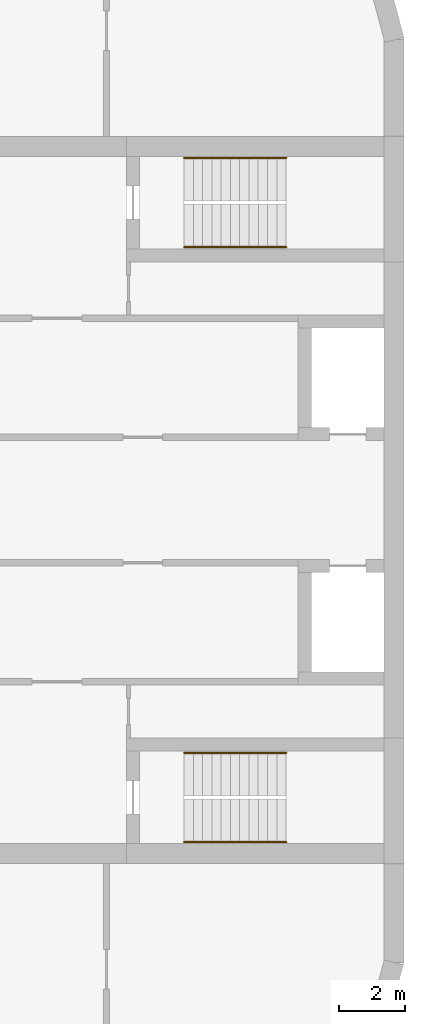
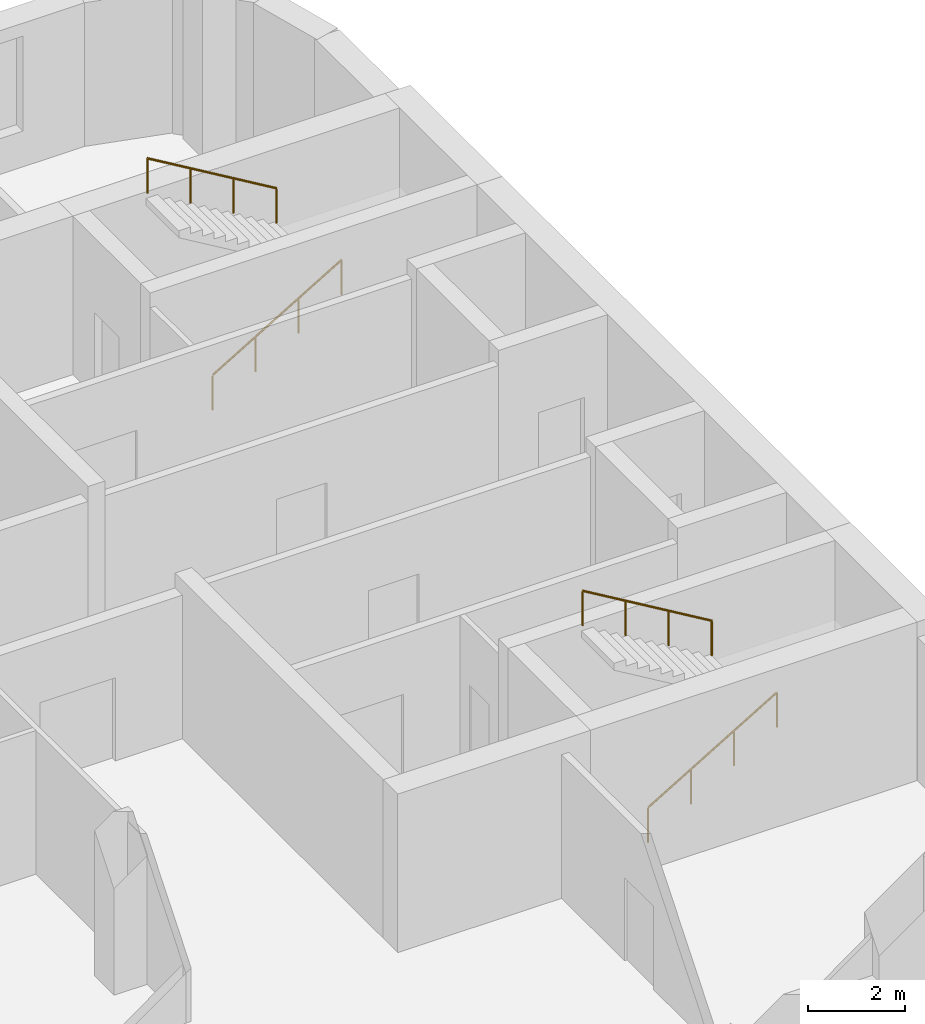
# One storey, part 12 of 12: 4 railings.
"""IFC4 building model written with IfcOpenShell, lengths in metres."""

from ifc_helpers import new_model, si_unit, direction, frame, origin, origin_2d, place, context, subcontext, project, spatial, circle, extrude, material, type_object, element, save


model = new_model("IFC4")

# Units and contexts
model_context = context("Model", 3, precision=1e-05, world=origin(), true_north=direction((0.0, 1.0)))
body_context = subcontext(model_context, "Body", "Model", "MODEL_VIEW")
ifc_project = project(units=[si_unit("LENGTHUNIT", "METRE"), si_unit("AREAUNIT", "SQUARE_METRE"), si_unit("VOLUMEUNIT", "CUBIC_METRE"), si_unit("PLANEANGLEUNIT", "RADIAN"), si_unit("MASSUNIT", "GRAM", prefix="KILO")], contexts=[model_context])

# Site, building, storey
site_placement = place(None, origin())
site = spatial("IfcSite", under=ifc_project, at=site_placement, CompositionType="ELEMENT")
building_placement = place(site_placement, origin())
building = spatial("IfcBuilding", under=site, at=building_placement, Name="Skarvind Civic Tower", CompositionType="ELEMENT")
storey_placement = place(building_placement, frame((0.0, 0.0, 35.5)))
storey = spatial("IfcBuildingStorey", under=building, at=storey_placement, Name="L07", CompositionType="ELEMENT", Elevation=35.5)

# Railings
ifc_material = material(Name="Painted steel handrail", Category="steel")
railing_type = type_object("IfcRailingType", Name="Stair handrail 900", PredefinedType="HANDRAIL", material=ifc_material)
railing_1_placement = place(storey_placement, frame((160.35009765625, 135.64990234375, 0.166748046875)))
element("IfcRailing", 1, at=railing_1_placement, inside=storey, type_object=railing_type, Name="Stair handrail", PredefinedType="HANDRAIL", context=body_context, shape_type="SweptSolid", body=[
    extrude(circle(Radius=0.02392578125, at=origin_2d()), frame((0.0, 0.0, 0.8759765625), z_axis=(0.859290745958, 0.0, 0.51148745235), x_axis=(0.0, 1.0, 0.0)), (0.0, 0.0, 1.0), 3.584228515625),
    extrude(circle(Radius=0.02099609375, at=origin_2d()), origin(), (0.0, 0.0, 1.0), 0.851806640625),
    extrude(circle(Radius=0.02099609375, at=origin_2d()), frame((1.026611328125, 0.0, 0.611083984375)), (0.0, 0.0, 1.0), 0.851806640625),
    extrude(circle(Radius=0.02099609375, at=origin_2d()), frame((2.05322265625, 0.0, 1.22216796875)), (0.0, 0.0, 1.0), 0.851806640625),
    extrude(circle(Radius=0.02099609375, at=origin_2d()), frame((3.079833984375, 0.0, 1.833251953125)), (0.0, 0.0, 1.0), 0.851806640625),
])
railing_2_placement = place(storey_placement, frame((163.429931640625, 138.35009765625, 2.166748046875)))
element("IfcRailing", 2, at=railing_2_placement, inside=storey, type_object=railing_type, Name="Stair handrail", PredefinedType="HANDRAIL", context=body_context, shape_type="SweptSolid", body=[
    extrude(circle(Radius=0.02392578125, at=origin_2d()), frame((0.0, 0.0, 0.8759765625), z_axis=(-0.859290745958, 0.0, 0.51148745235), x_axis=(0.0, -1.0, 0.0)), (0.0, 0.0, 1.0), 3.584228515625),
    extrude(circle(Radius=0.02099609375, at=origin_2d()), origin(), (0.0, 0.0, 1.0), 0.851806640625),
    extrude(circle(Radius=0.02099609375, at=origin_2d()), frame((-1.026611328125, 0.0, 0.611083984375)), (0.0, 0.0, 1.0), 0.851806640625),
    extrude(circle(Radius=0.02099609375, at=origin_2d()), frame((-2.05322265625, 0.0, 1.22216796875)), (0.0, 0.0, 1.0), 0.851806640625),
    extrude(circle(Radius=0.02099609375, at=origin_2d()), frame((-3.079833984375, 0.0, 1.833251953125)), (0.0, 0.0, 1.0), 0.851806640625),
])
railing_3_placement = place(storey_placement, frame((160.35009765625, 117.64990234375, 0.166748046875)))
element("IfcRailing", 3, at=railing_3_placement, inside=storey, type_object=railing_type, Name="Stair handrail", PredefinedType="HANDRAIL", context=body_context, shape_type="SweptSolid", body=[
    extrude(circle(Radius=0.02392578125, at=origin_2d()), frame((0.0, 0.0, 0.8759765625), z_axis=(0.859290745958, 0.0, 0.51148745235), x_axis=(0.0, 1.0, 0.0)), (0.0, 0.0, 1.0), 3.584228515625),
    extrude(circle(Radius=0.02099609375, at=origin_2d()), origin(), (0.0, 0.0, 1.0), 0.851806640625),
    extrude(circle(Radius=0.02099609375, at=origin_2d()), frame((1.026611328125, 0.0, 0.611083984375)), (0.0, 0.0, 1.0), 0.851806640625),
    extrude(circle(Radius=0.02099609375, at=origin_2d()), frame((2.05322265625, 0.0, 1.22216796875)), (0.0, 0.0, 1.0), 0.851806640625),
    extrude(circle(Radius=0.02099609375, at=origin_2d()), frame((3.079833984375, 0.0, 1.833251953125)), (0.0, 0.0, 1.0), 0.851806640625),
])
railing_4_placement = place(storey_placement, frame((163.429931640625, 120.35009765625, 2.166748046875)))
element("IfcRailing", 4, at=railing_4_placement, inside=storey, type_object=railing_type, Name="Stair handrail", PredefinedType="HANDRAIL", context=body_context, shape_type="SweptSolid", body=[
    extrude(circle(Radius=0.02392578125, at=origin_2d()), frame((0.0, 0.0, 0.8759765625), z_axis=(-0.859290745958, 0.0, 0.51148745235), x_axis=(0.0, -1.0, 0.0)), (0.0, 0.0, 1.0), 3.584228515625),
    extrude(circle(Radius=0.02099609375, at=origin_2d()), origin(), (0.0, 0.0, 1.0), 0.851806640625),
    extrude(circle(Radius=0.02099609375, at=origin_2d()), frame((-1.026611328125, 0.0, 0.611083984375)), (0.0, 0.0, 1.0), 0.851806640625),
    extrude(circle(Radius=0.02099609375, at=origin_2d()), frame((-2.05322265625, 0.0, 1.22216796875)), (0.0, 0.0, 1.0), 0.851806640625),
    extrude(circle(Radius=0.02099609375, at=origin_2d()), frame((-3.079833984375, 0.0, 1.833251953125)), (0.0, 0.0, 1.0), 0.851806640625),
])

save(model, "model.ifc")
